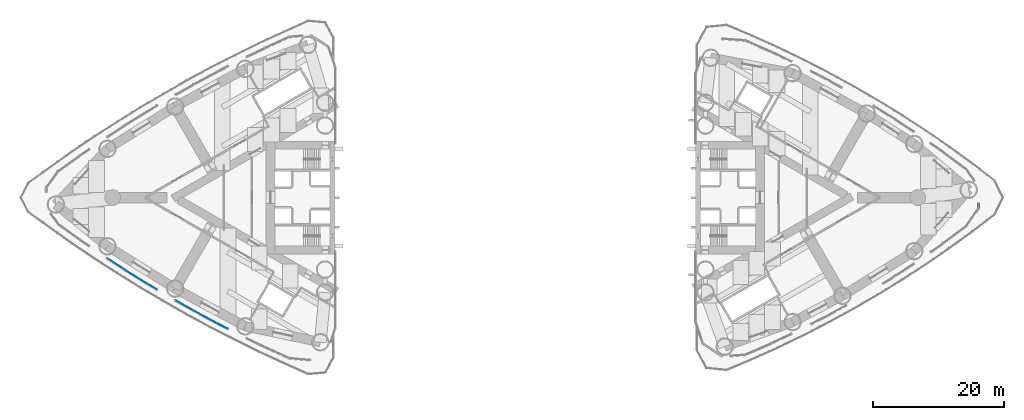
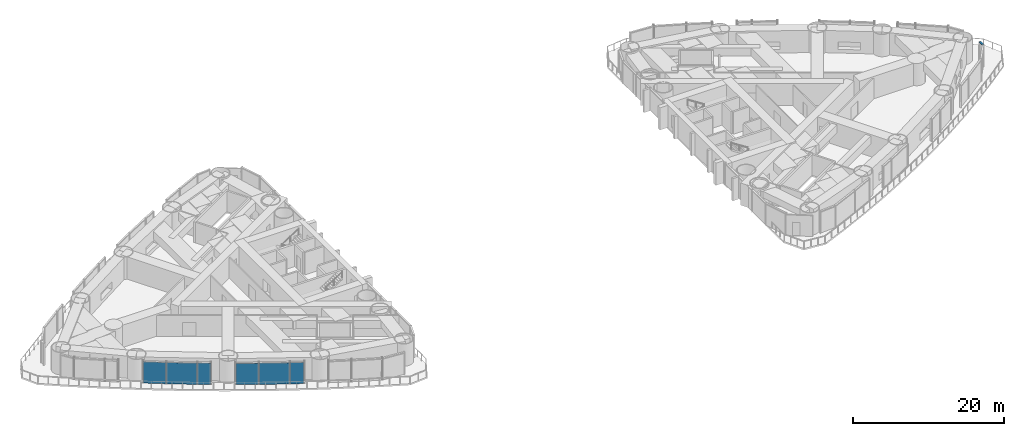
# One storey, part 9 of 19: 6 plates, 1 member, 3 elements without a shape of their own.
"""IFC4 building model written with IfcOpenShell, lengths in metres."""

from ifc_helpers import new_model, si_unit, direction, frame, origin, origin_2d, place, context, subcontext, project, spatial, rectangle, extrude, material, layer, layer_set, material_profile, profile_set, type_object, element, aggregate, save


model = new_model("IFC4")

# Units and contexts
model_context = context("Model", 3, precision=1e-05, world=origin(), true_north=direction((0.0, 1.0)))
body_context = subcontext(model_context, "Body", "Model", "MODEL_VIEW")
ifc_project = project(units=[si_unit("LENGTHUNIT", "METRE"), si_unit("AREAUNIT", "SQUARE_METRE"), si_unit("VOLUMEUNIT", "CUBIC_METRE"), si_unit("PLANEANGLEUNIT", "RADIAN"), si_unit("MASSUNIT", "GRAM", prefix="KILO")], contexts=[model_context])

# Site, building, storey
site_placement = place(None, origin())
site = spatial("IfcSite", under=ifc_project, at=site_placement, CompositionType="ELEMENT")
building_placement = place(site_placement, origin())
building = spatial("IfcBuilding", under=site, at=building_placement, Name="Lancet Gate Hotel", CompositionType="ELEMENT")
storey_placement = place(building_placement, frame((0.0, 0.0, 87.0)))
storey = spatial("IfcBuildingStorey", under=building, at=storey_placement, Name="L22", CompositionType="ELEMENT", Elevation=87.0)

# Curtain wall, member
ifc_material_1 = material(Name="Aluminium curtain wall", Category="aluminium")
curtain_wall_type = type_object("IfcCurtainWallType", Name="Tower unitised curtain wall", PredefinedType="USERDEFINED", material=ifc_material_1)
curtain_wall_1_placement = place(storey_placement, origin())
curtain_wall_1 = element("IfcCurtainWall", 1, at=curtain_wall_1_placement, inside=storey, type_object=curtain_wall_type, Name="T2 L22 curtain wall 5", ObjectType="UNITISED CURTAIN WALL", PredefinedType="USERDEFINED")
ifc_material_2 = material(Name="Aluminium transom", Category="aluminium")
ifc_material_profile = material_profile(ifc_material_2, rectangle(XDim=0.25, YDim=0.14990234375, at=origin_2d()), Name="TRANSOM 250x150")
ifc_profile_set = profile_set([ifc_material_profile], Name="Aluminium transom")
member_type = type_object("IfcMemberType", Name="Aluminium transom 250x150", PredefinedType="USERDEFINED", material=ifc_profile_set)
member_placement = place(storey_placement, frame((70.747314453125, -1.61962890625, 3.52490234375), z_axis=(0.0, 1.0, 0.0), x_axis=(-1.0, 0.0, 0.0)))
member = element("IfcMember", 2, at=member_placement, type_object=member_type, Name="T2 L22 curtain wall 5 transom 4", ObjectType="TRANSOM", PredefinedType="USERDEFINED", context=body_context, shape_type="SweptSolid", body=[
    extrude(rectangle(XDim=0.25, YDim=0.14990234375, at=origin_2d()), origin(), (0.0, 0.0, 1.0), 0.780029296875),
])
aggregate(curtain_wall_1, [member])

# Curtain wall, plates
curtain_wall_2_placement = place(storey_placement, origin())
curtain_wall_2 = element("IfcCurtainWall", 3, at=curtain_wall_2_placement, inside=storey, type_object=curtain_wall_type, Name="T1 L22 curtain wall 7", ObjectType="UNITISED CURTAIN WALL", PredefinedType="USERDEFINED")
ifc_material_3 = material(Name="Glass double glazed unit 8-16-6", Category="glass")
ifc_layer = layer(ifc_material_3, 0.030029296875)
ifc_layer_set = layer_set([ifc_layer], Name="Vision panel double glazed")
plate_type = type_object("IfcPlateType", Name="Vision panel double glazed", PredefinedType="CURTAIN_PANEL", material=ifc_layer_set)
plate_1_placement = place(storey_placement, frame((-61.037353515625, -10.1162109375, 0.0), z_axis=(0.0, 0.0, 1.0), x_axis=(0.836457541791, -0.54803173337, 0.0)))
plate_1 = element("IfcPlate", 4, at=plate_1_placement, type_object=plate_type, Name="T1 L22 curtain wall 7 panel 1", PredefinedType="CURTAIN_PANEL", context=body_context, shape_type="SweptSolid", body=[
    extrude(rectangle(XDim=3.06689453125, YDim=0.030029296875, at=origin_2d()), origin(), (0.0, 0.0, 1.0), 3.449951171875),
])
plate_2_placement = place(storey_placement, frame((-57.992431640625, -12.058349609375, 0.0), z_axis=(0.0, 0.0, 1.0), x_axis=(0.848061004052, -0.529898606722, 0.0)))
plate_2 = element("IfcPlate", 5, at=plate_2_placement, type_object=plate_type, Name="T1 L22 curtain wall 7 panel 2", PredefinedType="CURTAIN_PANEL", context=body_context, shape_type="SweptSolid", body=[
    extrude(rectangle(XDim=4.026611328125, YDim=0.030029296875, at=origin_2d()), origin(), (0.0, 0.0, 1.0), 3.449951171875),
])
plate_3_placement = place(storey_placement, frame((-55.4736328125, -13.609130859375, 0.0), z_axis=(0.0, 0.0, 1.0), x_axis=(0.859271431916, -0.511519898238, 0.0)))
plate_3 = element("IfcPlate", 6, at=plate_3_placement, type_object=plate_type, Name="T1 L22 curtain wall 7 panel 3", PredefinedType="CURTAIN_PANEL", context=body_context, shape_type="SweptSolid", body=[
    extrude(rectangle(XDim=1.759521484375, YDim=0.030029296875, at=origin_2d()), origin(), (0.0, 0.0, 1.0), 3.449951171875),
])
aggregate(curtain_wall_2, [plate_1, plate_2, plate_3])

curtain_wall_3_placement = place(storey_placement, origin())
curtain_wall_3 = element("IfcCurtainWall", 7, at=curtain_wall_3_placement, inside=storey, type_object=curtain_wall_type, Name="T1 L22 curtain wall 8", ObjectType="UNITISED CURTAIN WALL", PredefinedType="USERDEFINED")
plate_4_placement = place(storey_placement, frame((-50.53564453125, -16.485107421875, 0.0), z_axis=(0.0, 0.0, 1.0), x_axis=(0.870083629903, -0.49290412554, 0.0)))
plate_4 = element("IfcPlate", 8, at=plate_4_placement, type_object=plate_type, Name="T1 L22 curtain wall 8 panel 1", PredefinedType="CURTAIN_PANEL", context=body_context, shape_type="SweptSolid", body=[
    extrude(rectangle(XDim=3.047607421875, YDim=0.030029296875, at=origin_2d()), origin(), (0.0, 0.0, 1.0), 3.449951171875),
])
plate_5_placement = place(storey_placement, frame((-47.380126953125, -18.221923828125, 0.0), z_axis=(0.0, 0.0, 1.0), x_axis=(0.880492587094, -0.474059916121, 0.0)))
plate_5 = element("IfcPlate", 9, at=plate_5_placement, type_object=plate_type, Name="T1 L22 curtain wall 8 panel 2", PredefinedType="CURTAIN_PANEL", context=body_context, shape_type="SweptSolid", body=[
    extrude(rectangle(XDim=4.026611328125, YDim=0.030029296875, at=origin_2d()), origin(), (0.0, 0.0, 1.0), 3.449951171875),
])
plate_6_placement = place(storey_placement, frame((-44.716796875, -19.63232421875, 0.0), z_axis=(0.0, 0.0, 1.0), x_axis=(0.890493479451, -0.45499600334, 0.0)))
plate_6 = element("IfcPlate", 10, at=plate_6_placement, type_object=plate_type, Name="T1 L22 curtain wall 8 panel 3", PredefinedType="CURTAIN_PANEL", context=body_context, shape_type="SweptSolid", body=[
    extrude(rectangle(XDim=1.87109375, YDim=0.030029296875, at=origin_2d()), origin(), (0.0, 0.0, 1.0), 3.449951171875),
])
aggregate(curtain_wall_3, [plate_4, plate_5, plate_6])

save(model, "model.ifc")
